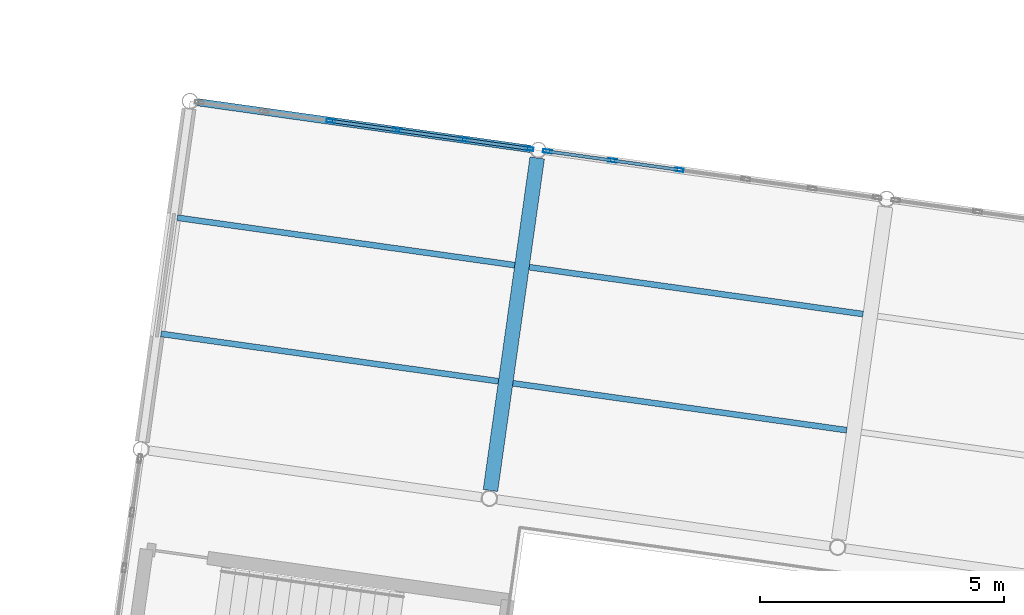
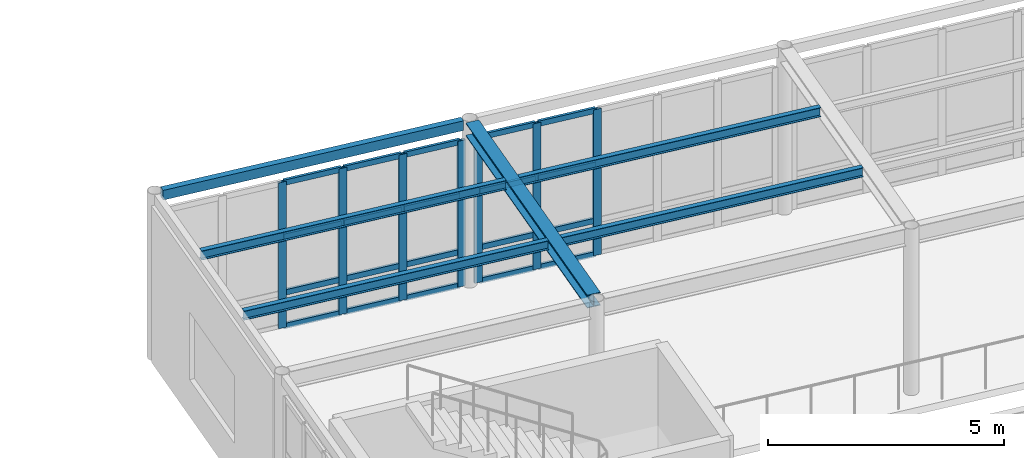
# One storey, part 39 of 80: 27 members, 6 beams, 2 elements without a shape of their own.
"""IFC4 building model written with IfcOpenShell, lengths in metres."""

from ifc_helpers import new_model, si_unit, direction, frame, origin, origin_2d, place, context, subcontext, project, spatial, hollow_rectangle, i_section, extrude, material, layer, layer_set, material_profile, profile_set, type_object, element, aggregate, save


model = new_model("IFC4")

# Units and contexts
model_context = context("Model", 3, precision=1e-05, world=origin(), true_north=direction((0.0, 1.0)))
body_context = subcontext(model_context, "Body", "Model", "MODEL_VIEW")
ifc_project = project(units=[si_unit("LENGTHUNIT", "METRE"), si_unit("AREAUNIT", "SQUARE_METRE"), si_unit("VOLUMEUNIT", "CUBIC_METRE"), si_unit("PLANEANGLEUNIT", "RADIAN"), si_unit("MASSUNIT", "GRAM", prefix="KILO")], contexts=[model_context])

# Site, building, storey
site_placement = place(None, origin())
site = spatial("IfcSite", under=ifc_project, at=site_placement, CompositionType="ELEMENT")
building_placement = place(site_placement, origin())
building = spatial("IfcBuilding", under=site, at=building_placement, Name="Kharisveld Research Institute", CompositionType="ELEMENT")
storey_placement = place(building_placement, frame((0.0, 0.0, 5.10009765625)))
storey = spatial("IfcBuildingStorey", under=building, at=storey_placement, Name="L01", CompositionType="ELEMENT", Elevation=5.10009765625)

# Beam
ifc_material_1 = material(Name="Steel S355JR", Category="steel")
ifc_material_profile_1 = material_profile(ifc_material_1, i_section(OverallWidth=0.300048828125, OverallDepth=0.340087890625, WebThickness=0.011962890625, FlangeThickness=0.021484375, at=origin_2d()))
ifc_profile_set_1 = profile_set([ifc_material_profile_1], Name="Steel S355JR")
beam_type_1 = type_object("IfcBeamType", Name="BM_ST_HEA300", PredefinedType="BEAM", material=ifc_profile_set_1)
beam_1_placement = place(storey_placement, frame((84.156494140625, 30.918212890625, 4.139892578125), z_axis=(0.139184107758, 0.990266521775, 0.0), x_axis=(-0.990266521775, 0.139184107758, 0.0)))
element("IfcBeam", 1, at=beam_1_placement, inside=storey, type_object=beam_type_1, Name="BM:V4:L01:V1_2", PredefinedType="BEAM", context=body_context, shape_type="SweptSolid", body=[
    extrude(i_section(OverallWidth=0.300048828125, OverallDepth=0.340087890625, WebThickness=0.011962890625, FlangeThickness=0.021484375, at=origin_2d()), origin(), (0.0, 0.0, 1.0), 6.8759765625),
])

# Curtain wall, members
ifc_material_2 = material(Name="Thermally Broken Aluminium Curtain Wall", Category="aluminium")
ifc_layer_1 = layer(ifc_material_2, 0.159912109375)
ifc_layer_set_1 = layer_set([ifc_layer_1], Name="CW_SYS_02")
curtain_wall_type_1 = type_object("IfcCurtainWallType", Name="CW_SYS_02", PredefinedType="NOTDEFINED", material=ifc_layer_set_1)
curtain_wall_1_placement = place(storey_placement, origin())
curtain_wall_1 = element("IfcCurtainWall", 2, at=curtain_wall_1_placement, inside=storey, type_object=curtain_wall_type_1, Name="CW:V4:L01:N0", PredefinedType="NOTDEFINED")
ifc_material_3 = material(Name="Anodised Aluminium AW-6063-T6", Category="aluminium")
ifc_material_profile_2 = material_profile(ifc_material_3, hollow_rectangle(XDim=0.070068359375, YDim=0.179931640625, WallThickness=0.00439453125, at=origin_2d()))
ifc_profile_set_2 = profile_set([ifc_material_profile_2], Name="Anodised Aluminium AW-6063-T6")
member_type_1 = type_object("IfcMemberType", Name="CW_MUL_180", PredefinedType="MULLION", material=ifc_profile_set_2)
member_1_placement = place(storey_placement, frame((80.88916015625, 38.484619140625, 0.0), z_axis=(0.0, 0.0, 1.0), x_axis=(0.139173103207, 0.990268068426, 0.0)))
member_1 = element("IfcMember", 3, at=member_1_placement, type_object=member_type_1, Name="CW-02 mullion 3", PredefinedType="MULLION", context=body_context, shape_type="SweptSolid", body=[
    extrude(hollow_rectangle(XDim=0.070068359375, YDim=0.179931640625, WallThickness=0.00439453125, at=origin_2d()), origin(), (0.0, 0.0, 1.0), 3.77978515625),
])
member_2_placement = place(storey_placement, frame((82.2529296875, 38.29296875, 0.0), z_axis=(0.0, 0.0, 1.0), x_axis=(0.139173103207, 0.990268068426, 0.0)))
member_2 = element("IfcMember", 4, at=member_2_placement, type_object=member_type_1, Name="CW-02 mullion 4", PredefinedType="MULLION", context=body_context, shape_type="SweptSolid", body=[
    extrude(hollow_rectangle(XDim=0.070068359375, YDim=0.179931640625, WallThickness=0.00439453125, at=origin_2d()), origin(), (0.0, 0.0, 1.0), 3.77978515625),
])
member_3_placement = place(storey_placement, frame((83.61669921875, 38.101318359375, 0.0), z_axis=(0.0, 0.0, 1.0), x_axis=(0.139173103207, 0.990268068426, 0.0)))
member_3 = element("IfcMember", 5, at=member_3_placement, type_object=member_type_1, Name="CW-02 mullion 5", PredefinedType="MULLION", context=body_context, shape_type="SweptSolid", body=[
    extrude(hollow_rectangle(XDim=0.070068359375, YDim=0.179931640625, WallThickness=0.00439453125, at=origin_2d()), origin(), (0.0, 0.0, 1.0), 3.77978515625),
])
member_4_placement = place(storey_placement, frame((84.946044921875, 37.91455078125, 0.0), z_axis=(0.0, 0.0, 1.0), x_axis=(0.139173103207, 0.990268068426, 0.0)))
member_4 = element("IfcMember", 6, at=member_4_placement, type_object=member_type_1, Name="CW-02 mullion 6", PredefinedType="MULLION", context=body_context, shape_type="SweptSolid", body=[
    extrude(hollow_rectangle(XDim=0.070068359375, YDim=0.179931640625, WallThickness=0.00439453125, at=origin_2d()), origin(), (0.0, 0.0, 1.0), 3.77978515625),
])

ifc_material_4 = material(Name="Thermally Broken Aluminium Curtain Wall", Category="aluminium")
ifc_layer_2 = layer(ifc_material_4, 0.159912109375)
ifc_layer_set_2 = layer_set([ifc_layer_2], Name="CW_SYS_03")
curtain_wall_type_2 = type_object("IfcCurtainWallType", Name="CW_SYS_03", PredefinedType="NOTDEFINED", material=ifc_layer_set_2)
curtain_wall_2_placement = place(storey_placement, origin())
curtain_wall_2 = element("IfcCurtainWall", 7, at=curtain_wall_2_placement, inside=storey, type_object=curtain_wall_type_2, Name="CW:V4:L01:N1", PredefinedType="NOTDEFINED")
member_5_placement = place(storey_placement, frame((85.326171875, 37.861083984375, 0.0), z_axis=(0.0, 0.0, 1.0), x_axis=(0.139173103207, 0.990268068426, 0.0)))
member_5 = element("IfcMember", 8, at=member_5_placement, type_object=member_type_1, Name="CW-03 mullion 1", PredefinedType="MULLION", context=body_context, shape_type="SweptSolid", body=[
    extrude(hollow_rectangle(XDim=0.070068359375, YDim=0.179931640625, WallThickness=0.00439453125, at=origin_2d()), origin(), (0.0, 0.0, 1.0), 3.77978515625),
])
member_6_placement = place(storey_placement, frame((86.6552734375, 37.67431640625, 0.0), z_axis=(0.0, 0.0, 1.0), x_axis=(0.139173103207, 0.990268068426, 0.0)))
member_6 = element("IfcMember", 9, at=member_6_placement, type_object=member_type_1, Name="CW-03 mullion 2", PredefinedType="MULLION", context=body_context, shape_type="SweptSolid", body=[
    extrude(hollow_rectangle(XDim=0.070068359375, YDim=0.179931640625, WallThickness=0.00439453125, at=origin_2d()), origin(), (0.0, 0.0, 1.0), 3.77978515625),
])
member_7_placement = place(storey_placement, frame((88.01904296875, 37.482666015625, 0.0), z_axis=(0.0, 0.0, 1.0), x_axis=(0.139173103207, 0.990268068426, 0.0)))
member_7 = element("IfcMember", 10, at=member_7_placement, type_object=member_type_1, Name="CW-03 mullion 3", PredefinedType="MULLION", context=body_context, shape_type="SweptSolid", body=[
    extrude(hollow_rectangle(XDim=0.070068359375, YDim=0.179931640625, WallThickness=0.00439453125, at=origin_2d()), origin(), (0.0, 0.0, 1.0), 3.77978515625),
])

# Member
ifc_material_5 = material(Name="Anodised Aluminium AW-6063-T6", Category="aluminium")
ifc_material_profile_3 = material_profile(ifc_material_5, hollow_rectangle(XDim=0.06494140625, YDim=0.139892578125, WallThickness=0.00390625, at=origin_2d()))
ifc_profile_set_3 = profile_set([ifc_material_profile_3], Name="Anodised Aluminium AW-6063-T6")
member_type_2 = type_object("IfcMemberType", Name="CW_TRN_140", PredefinedType="USERDEFINED", material=ifc_profile_set_3)
member_8_placement = place(storey_placement, frame((80.923828125, 38.479736328125, 0.032470703125), z_axis=(0.990271865292, -0.139146084429, 0.0), x_axis=(0.139146084429, 0.990271865292, 0.0)))
member_8 = element("IfcMember", 11, at=member_8_placement, type_object=member_type_2, Name="CW-02 transom 3.1", ObjectType="TRANSOM", PredefinedType="USERDEFINED", context=body_context, shape_type="SweptSolid", body=[
    extrude(hollow_rectangle(XDim=0.06494140625, YDim=0.139892578125, WallThickness=0.00390625, at=origin_2d()), origin(), (0.0, 0.0, 1.0), 1.30712890625),
])

member_9_placement = place(storey_placement, frame((80.923828125, 38.479736328125, 0.89990234375), z_axis=(0.990271865292, -0.139146084429, 0.0), x_axis=(0.139146084429, 0.990271865292, 0.0)))
member_9 = element("IfcMember", 12, at=member_9_placement, type_object=member_type_2, Name="CW-02 transom 3.2", ObjectType="TRANSOM", PredefinedType="USERDEFINED", context=body_context, shape_type="SweptSolid", body=[
    extrude(hollow_rectangle(XDim=0.06494140625, YDim=0.139892578125, WallThickness=0.00390625, at=origin_2d()), origin(), (0.0, 0.0, 1.0), 1.30712890625),
])

member_10_placement = place(storey_placement, frame((80.923828125, 38.479736328125, 2.349853515625), z_axis=(0.990271865292, -0.139146084429, 0.0), x_axis=(0.139146084429, 0.990271865292, 0.0)))
member_10 = element("IfcMember", 13, at=member_10_placement, type_object=member_type_2, Name="CW-02 transom 3.3", ObjectType="TRANSOM", PredefinedType="USERDEFINED", context=body_context, shape_type="SweptSolid", body=[
    extrude(hollow_rectangle(XDim=0.06494140625, YDim=0.139892578125, WallThickness=0.00390625, at=origin_2d()), origin(), (0.0, 0.0, 1.0), 1.30712890625),
])

member_11_placement = place(storey_placement, frame((80.923828125, 38.479736328125, 3.747314453125), z_axis=(0.990271865292, -0.139146084429, 0.0), x_axis=(0.139146084429, 0.990271865292, 0.0)))
member_11 = element("IfcMember", 14, at=member_11_placement, type_object=member_type_2, Name="CW-02 transom 3.4", ObjectType="TRANSOM", PredefinedType="USERDEFINED", context=body_context, shape_type="SweptSolid", body=[
    extrude(hollow_rectangle(XDim=0.06494140625, YDim=0.139892578125, WallThickness=0.00390625, at=origin_2d()), origin(), (0.0, 0.0, 1.0), 1.30712890625),
])

member_12_placement = place(storey_placement, frame((82.28759765625, 38.2880859375, 0.032470703125), z_axis=(0.990271865292, -0.139146084429, 0.0), x_axis=(0.139146084429, 0.990271865292, 0.0)))
member_12 = element("IfcMember", 15, at=member_12_placement, type_object=member_type_2, Name="CW-02 transom 4.1", ObjectType="TRANSOM", PredefinedType="USERDEFINED", context=body_context, shape_type="SweptSolid", body=[
    extrude(hollow_rectangle(XDim=0.06494140625, YDim=0.139892578125, WallThickness=0.00390625, at=origin_2d()), origin(), (0.0, 0.0, 1.0), 1.30712890625),
])

member_13_placement = place(storey_placement, frame((82.28759765625, 38.2880859375, 0.89990234375), z_axis=(0.990271865292, -0.139146084429, 0.0), x_axis=(0.139146084429, 0.990271865292, 0.0)))
member_13 = element("IfcMember", 16, at=member_13_placement, type_object=member_type_2, Name="CW-02 transom 4.2", ObjectType="TRANSOM", PredefinedType="USERDEFINED", context=body_context, shape_type="SweptSolid", body=[
    extrude(hollow_rectangle(XDim=0.06494140625, YDim=0.139892578125, WallThickness=0.00390625, at=origin_2d()), origin(), (0.0, 0.0, 1.0), 1.30712890625),
])

member_14_placement = place(storey_placement, frame((82.28759765625, 38.2880859375, 2.349853515625), z_axis=(0.990271865292, -0.139146084429, 0.0), x_axis=(0.139146084429, 0.990271865292, 0.0)))
member_14 = element("IfcMember", 17, at=member_14_placement, type_object=member_type_2, Name="CW-02 transom 4.3", ObjectType="TRANSOM", PredefinedType="USERDEFINED", context=body_context, shape_type="SweptSolid", body=[
    extrude(hollow_rectangle(XDim=0.06494140625, YDim=0.139892578125, WallThickness=0.00390625, at=origin_2d()), origin(), (0.0, 0.0, 1.0), 1.30712890625),
])

member_15_placement = place(storey_placement, frame((82.28759765625, 38.2880859375, 3.747314453125), z_axis=(0.990271865292, -0.139146084429, 0.0), x_axis=(0.139146084429, 0.990271865292, 0.0)))
member_15 = element("IfcMember", 18, at=member_15_placement, type_object=member_type_2, Name="CW-02 transom 4.4", ObjectType="TRANSOM", PredefinedType="USERDEFINED", context=body_context, shape_type="SweptSolid", body=[
    extrude(hollow_rectangle(XDim=0.06494140625, YDim=0.139892578125, WallThickness=0.00390625, at=origin_2d()), origin(), (0.0, 0.0, 1.0), 1.30712890625),
])

member_16_placement = place(storey_placement, frame((83.6513671875, 38.096435546875, 0.032470703125), z_axis=(0.990276826374, -0.139110772936, 0.0), x_axis=(0.139110772936, 0.990276826374, 0.0)))
member_16 = element("IfcMember", 19, at=member_16_placement, type_object=member_type_2, Name="CW-02 transom 5.1", ObjectType="TRANSOM", PredefinedType="USERDEFINED", context=body_context, shape_type="SweptSolid", body=[
    extrude(hollow_rectangle(XDim=0.06494140625, YDim=0.139892578125, WallThickness=0.00390625, at=origin_2d()), origin(), (0.0, 0.0, 1.0), 1.2724609375),
])

member_17_placement = place(storey_placement, frame((83.6513671875, 38.096435546875, 0.89990234375), z_axis=(0.990276826374, -0.139110772936, 0.0), x_axis=(0.139110772936, 0.990276826374, 0.0)))
member_17 = element("IfcMember", 20, at=member_17_placement, type_object=member_type_2, Name="CW-02 transom 5.2", ObjectType="TRANSOM", PredefinedType="USERDEFINED", context=body_context, shape_type="SweptSolid", body=[
    extrude(hollow_rectangle(XDim=0.06494140625, YDim=0.139892578125, WallThickness=0.00390625, at=origin_2d()), origin(), (0.0, 0.0, 1.0), 1.2724609375),
])

member_18_placement = place(storey_placement, frame((83.6513671875, 38.096435546875, 2.349853515625), z_axis=(0.990276826374, -0.139110772936, 0.0), x_axis=(0.139110772936, 0.990276826374, 0.0)))
member_18 = element("IfcMember", 21, at=member_18_placement, type_object=member_type_2, Name="CW-02 transom 5.3", ObjectType="TRANSOM", PredefinedType="USERDEFINED", context=body_context, shape_type="SweptSolid", body=[
    extrude(hollow_rectangle(XDim=0.06494140625, YDim=0.139892578125, WallThickness=0.00390625, at=origin_2d()), origin(), (0.0, 0.0, 1.0), 1.2724609375),
])

member_19_placement = place(storey_placement, frame((83.6513671875, 38.096435546875, 3.747314453125), z_axis=(0.990276826374, -0.139110772936, 0.0), x_axis=(0.139110772936, 0.990276826374, 0.0)))
member_19 = element("IfcMember", 22, at=member_19_placement, type_object=member_type_2, Name="CW-02 transom 5.4", ObjectType="TRANSOM", PredefinedType="USERDEFINED", context=body_context, shape_type="SweptSolid", body=[
    extrude(hollow_rectangle(XDim=0.06494140625, YDim=0.139892578125, WallThickness=0.00390625, at=origin_2d()), origin(), (0.0, 0.0, 1.0), 1.2724609375),
])

aggregate(curtain_wall_1, [member_1, member_2, member_3, member_4, member_8, member_9, member_10, member_11, member_12, member_13, member_14, member_15, member_16, member_17, member_18, member_19])

member_20_placement = place(storey_placement, frame((85.36083984375, 37.856201171875, 0.032470703125), z_axis=(0.99027311215, -0.139137210525, 0.0), x_axis=(0.139137210525, 0.99027311215, 0.0)))
member_20 = element("IfcMember", 23, at=member_20_placement, type_object=member_type_2, Name="CW-03 transom 1.1", ObjectType="TRANSOM", PredefinedType="USERDEFINED", context=body_context, shape_type="SweptSolid", body=[
    extrude(hollow_rectangle(XDim=0.06494140625, YDim=0.139892578125, WallThickness=0.00390625, at=origin_2d()), origin(), (0.0, 0.0, 1.0), 1.272216796875),
])

member_21_placement = place(storey_placement, frame((85.36083984375, 37.856201171875, 0.89990234375), z_axis=(0.99027311215, -0.139137210525, 0.0), x_axis=(0.139137210525, 0.99027311215, 0.0)))
member_21 = element("IfcMember", 24, at=member_21_placement, type_object=member_type_2, Name="CW-03 transom 1.2", ObjectType="TRANSOM", PredefinedType="USERDEFINED", context=body_context, shape_type="SweptSolid", body=[
    extrude(hollow_rectangle(XDim=0.06494140625, YDim=0.139892578125, WallThickness=0.00390625, at=origin_2d()), origin(), (0.0, 0.0, 1.0), 1.272216796875),
])

member_22_placement = place(storey_placement, frame((85.36083984375, 37.856201171875, 2.349853515625), z_axis=(0.99027311215, -0.139137210525, 0.0), x_axis=(0.139137210525, 0.99027311215, 0.0)))
member_22 = element("IfcMember", 25, at=member_22_placement, type_object=member_type_2, Name="CW-03 transom 1.3", ObjectType="TRANSOM", PredefinedType="USERDEFINED", context=body_context, shape_type="SweptSolid", body=[
    extrude(hollow_rectangle(XDim=0.06494140625, YDim=0.139892578125, WallThickness=0.00390625, at=origin_2d()), origin(), (0.0, 0.0, 1.0), 1.272216796875),
])

member_23_placement = place(storey_placement, frame((85.36083984375, 37.856201171875, 3.747314453125), z_axis=(0.99027311215, -0.139137210525, 0.0), x_axis=(0.139137210525, 0.99027311215, 0.0)))
member_23 = element("IfcMember", 26, at=member_23_placement, type_object=member_type_2, Name="CW-03 transom 1.4", ObjectType="TRANSOM", PredefinedType="USERDEFINED", context=body_context, shape_type="SweptSolid", body=[
    extrude(hollow_rectangle(XDim=0.06494140625, YDim=0.139892578125, WallThickness=0.00390625, at=origin_2d()), origin(), (0.0, 0.0, 1.0), 1.272216796875),
])

member_24_placement = place(storey_placement, frame((86.68994140625, 37.66943359375, 0.032470703125), z_axis=(0.990246113077, -0.139329234318, 0.0), x_axis=(0.139329234318, 0.990246113077, 0.0)))
member_24 = element("IfcMember", 27, at=member_24_placement, type_object=member_type_2, Name="CW-03 transom 2.1", ObjectType="TRANSOM", PredefinedType="USERDEFINED", context=body_context, shape_type="SweptSolid", body=[
    extrude(hollow_rectangle(XDim=0.06494140625, YDim=0.139892578125, WallThickness=0.00390625, at=origin_2d()), origin(), (0.0, 0.0, 1.0), 1.30712890625),
])

member_25_placement = place(storey_placement, frame((86.68994140625, 37.66943359375, 0.89990234375), z_axis=(0.990246113077, -0.139329234318, 0.0), x_axis=(0.139329234318, 0.990246113077, 0.0)))
member_25 = element("IfcMember", 28, at=member_25_placement, type_object=member_type_2, Name="CW-03 transom 2.2", ObjectType="TRANSOM", PredefinedType="USERDEFINED", context=body_context, shape_type="SweptSolid", body=[
    extrude(hollow_rectangle(XDim=0.06494140625, YDim=0.139892578125, WallThickness=0.00390625, at=origin_2d()), origin(), (0.0, 0.0, 1.0), 1.30712890625),
])

member_26_placement = place(storey_placement, frame((86.68994140625, 37.66943359375, 2.349853515625), z_axis=(0.990246113077, -0.139329234318, 0.0), x_axis=(0.139329234318, 0.990246113077, 0.0)))
member_26 = element("IfcMember", 29, at=member_26_placement, type_object=member_type_2, Name="CW-03 transom 2.3", ObjectType="TRANSOM", PredefinedType="USERDEFINED", context=body_context, shape_type="SweptSolid", body=[
    extrude(hollow_rectangle(XDim=0.06494140625, YDim=0.139892578125, WallThickness=0.00390625, at=origin_2d()), origin(), (0.0, 0.0, 1.0), 1.30712890625),
])

member_27_placement = place(storey_placement, frame((86.68994140625, 37.66943359375, 3.747314453125), z_axis=(0.990246113077, -0.139329234318, 0.0), x_axis=(0.139329234318, 0.990246113077, 0.0)))
member_27 = element("IfcMember", 30, at=member_27_placement, type_object=member_type_2, Name="CW-03 transom 2.4", ObjectType="TRANSOM", PredefinedType="USERDEFINED", context=body_context, shape_type="SweptSolid", body=[
    extrude(hollow_rectangle(XDim=0.06494140625, YDim=0.139892578125, WallThickness=0.00390625, at=origin_2d()), origin(), (0.0, 0.0, 1.0), 1.30712890625),
])

aggregate(curtain_wall_2, [member_5, member_6, member_7, member_20, member_21, member_22, member_23, member_24, member_25, member_26, member_27])

# Beams
ifc_material_6 = material(Name="Steel S355JR", Category="steel")
ifc_material_profile_4 = material_profile(ifc_material_6, i_section(OverallWidth=0.1201171875, OverallDepth=0.239990234375, WebThickness=0.006103515625, FlangeThickness=0.009765625, at=origin_2d()))
ifc_profile_set_4 = profile_set([ifc_material_profile_4], Name="Steel S355JR")
beam_type_2 = type_object("IfcBeamType", Name="JS_ST_IPE240", PredefinedType="JOIST", material=ifc_profile_set_4)
for number, where, z_axis, x_axis, name in (
    (31, (77.412353515625, 34.1259765625, 4.18994140625), (0.990268943271, -0.139166878215, 0.0), (0.139166878215, 0.990268943271, 0.0), "BM:V4:L01:J_0_2_R1"),
    (32, (77.746337890625, 36.502685546875, 4.18994140625), (0.990268943271, -0.139166878215, 0.0), (0.139166878215, 0.990268943271, 0.0), "BM:V4:L01:J_0_2_R2"),
):
    element("IfcBeam", number, at=place(storey_placement, frame(where, z_axis=z_axis, x_axis=x_axis)), inside=storey, type_object=beam_type_2, Name=name, PredefinedType="JOIST", context=body_context, shape_type="SweptSolid", body=[
        extrude(i_section(OverallWidth=0.1201171875, OverallDepth=0.239990234375, WebThickness=0.006103515625, FlangeThickness=0.009765625, at=origin_2d()), origin(), (0.0, 0.0, 1.0), 6.97509765625),
    ])
for number, where, z_axis, x_axis, name in (
    (33, (84.61669921875, 33.113525390625, 4.18994140625), (0.990269611306, -0.139162124603, 0.0), (0.139162124603, 0.990269611306, 0.0), "BM:V4:L01:J_1_2_R1"),
    (34, (84.95068359375, 35.490234375, 4.18994140625), (0.990269611306, -0.139162124603, 0.0), (0.139162124603, 0.990269611306, 0.0), "BM:V4:L01:J_1_2_R2"),
):
    element("IfcBeam", number, at=place(storey_placement, frame(where, z_axis=z_axis, x_axis=x_axis)), inside=storey, type_object=beam_type_2, Name=name, PredefinedType="JOIST", context=body_context, shape_type="SweptSolid", body=[
        extrude(i_section(OverallWidth=0.1201171875, OverallDepth=0.239990234375, WebThickness=0.006103515625, FlangeThickness=0.009765625, at=origin_2d()), origin(), (0.0, 0.0, 1.0), 6.89990234375),
    ])
ifc_material_7 = material(Name="Steel S355J2H", Category="steel")
ifc_material_profile_5 = material_profile(ifc_material_7, hollow_rectangle(XDim=0.14990234375, YDim=0.25, WallThickness=0.010009765625, at=origin_2d()))
ifc_profile_set_5 = profile_set([ifc_material_profile_5], Name="Steel S355J2H")
beam_type_3 = type_object("IfcBeamType", Name="SP_ST_RHS250", PredefinedType="SPANDREL", material=ifc_profile_set_5)
beam_2_placement = place(storey_placement, frame((78.16650390625, 38.8671875, 4.184814453125), z_axis=(0.990271414977, -0.139149289182, 0.0), x_axis=(0.139149289182, 0.990271414977, 0.0)))
element("IfcBeam", 35, at=beam_2_placement, inside=storey, type_object=beam_type_3, Name="BM:V4:L01:U0_3", PredefinedType="SPANDREL", context=body_context, shape_type="SweptSolid", body=[
    extrude(hollow_rectangle(XDim=0.14990234375, YDim=0.25, WallThickness=0.010009765625, at=origin_2d()), origin(), (0.0, 0.0, 1.0), 6.8759765625),
])

save(model, "model.ifc")
